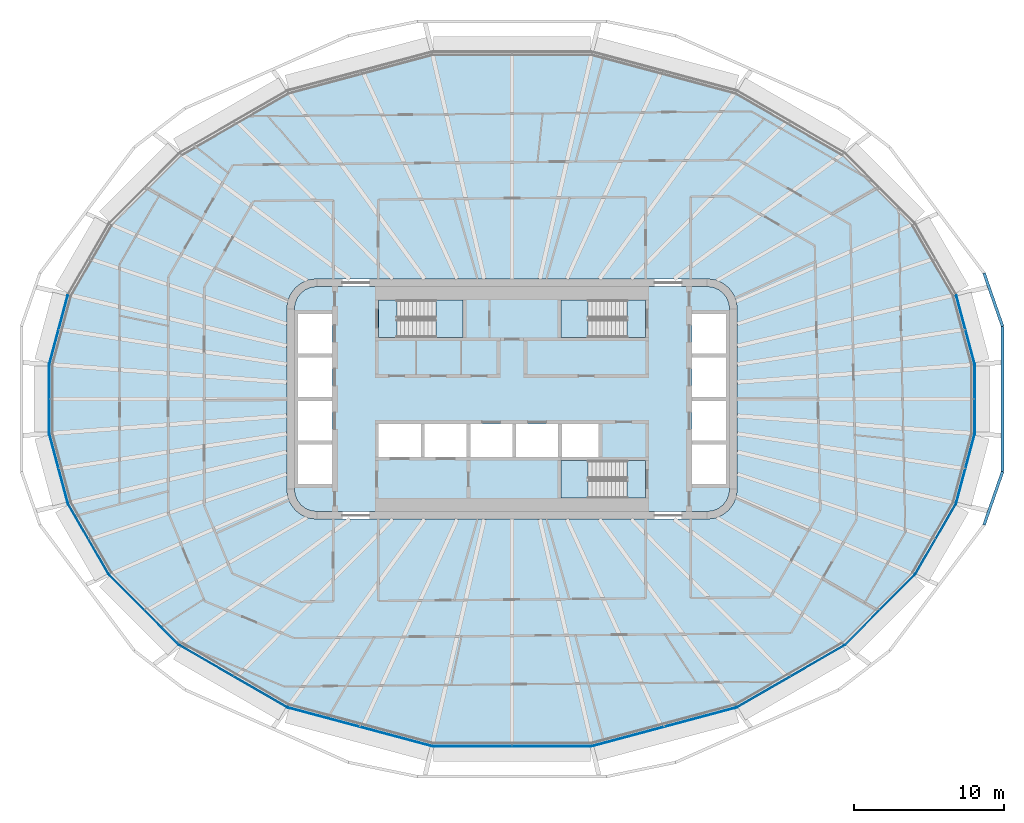
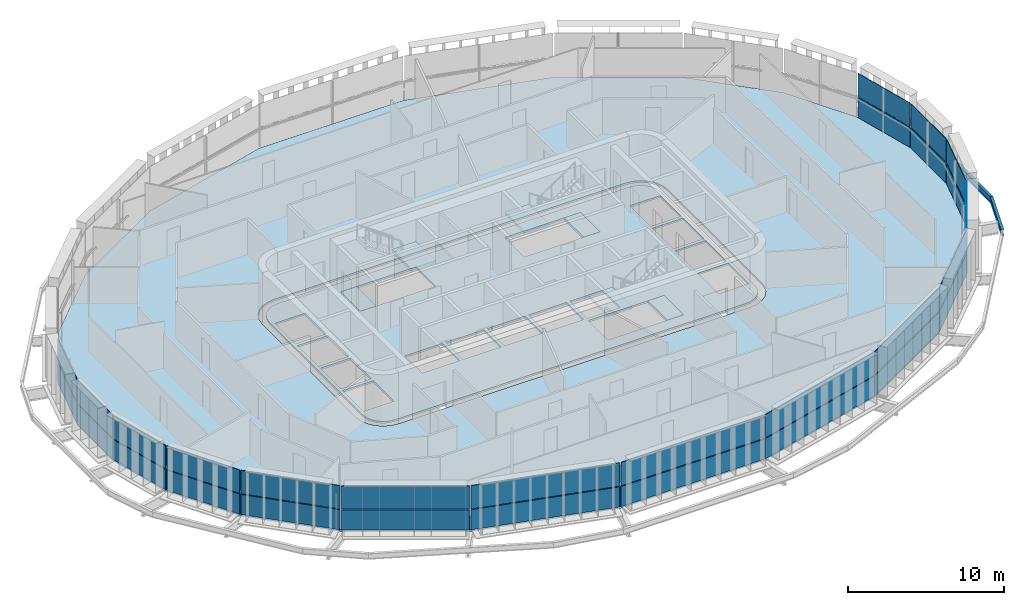
# One storey, part 9 of 21: 30 plates, 8 slabs, 3 beams, 18 elements without a shape of their own.
"""IFC4 building model written with IfcOpenShell, lengths in metres."""

from ifc_helpers import new_model, si_unit, direction, frame, origin, origin_2d, place, context, subcontext, project, spatial, polyline, i_section, outline, extrude, material, layer, layer_set, material_profile, profile_set, type_object, element, aggregate, save


model = new_model("IFC4")

# Units and contexts
model_context = context("Model", 3, precision=1e-05, world=origin(), true_north=direction((0.0, 1.0)))
body_context = subcontext(model_context, "Body", "Model", "MODEL_VIEW")
ifc_project = project(units=[si_unit("LENGTHUNIT", "METRE"), si_unit("AREAUNIT", "SQUARE_METRE"), si_unit("VOLUMEUNIT", "CUBIC_METRE"), si_unit("PLANEANGLEUNIT", "RADIAN"), si_unit("MASSUNIT", "GRAM", prefix="KILO")], contexts=[model_context])

# Site, building, storey
site_placement = place(None, origin())
site = spatial("IfcSite", under=ifc_project, at=site_placement, CompositionType="ELEMENT")
building_placement = place(site_placement, origin())
building = spatial("IfcBuilding", under=site, at=building_placement, Name="Sahrelin Media Tower", CompositionType="ELEMENT")
storey_placement = place(building_placement, frame((0.0, 0.0, 193.60009765625)))
storey = spatial("IfcBuildingStorey", under=building, at=storey_placement, Name="L41", CompositionType="ELEMENT", Elevation=193.60009765625)

# Beams
ifc_material_1 = material(Name="Steel S355", Category="steel")
ifc_material_profile = material_profile(ifc_material_1, i_section(OverallWidth=0.1904296875, OverallDepth=0.45703125, WebThickness=0.009033203125, FlangeThickness=0.014404296875, FilletRadius=0.01025390625, at=origin_2d()), Name="UB 457x191x74")
ifc_profile_set = profile_set([ifc_material_profile], Name="Steel S355")
beam_type = type_object("IfcBeamType", Name="Tie chord TC5", PredefinedType="BEAM", material=ifc_profile_set)
for number, where, z_axis, x_axis, name in (
    (1, (32.669677734375, 4.8369140625, -0.378662109375), (-0.328777768926, 0.944407316077, 0.0), (-0.944407316077, -0.328777768926, 0.0), "Tie chord L41-01"),
    (2, (31.434814453125, -8.384033203125, -0.378662109375), (0.328777768926, 0.944407316077, 0.0), (-0.944407316077, 0.328777768926, 0.0), "Tie chord L41-23"),
):
    element("IfcBeam", number, at=place(storey_placement, frame(where, z_axis=z_axis, x_axis=x_axis)), inside=storey, type_object=beam_type, Name=name, PredefinedType="BEAM", context=body_context, shape_type="SweptSolid", body=[
        extrude(i_section(OverallWidth=0.1904296875, OverallDepth=0.45703125, WebThickness=0.009033203125, FlangeThickness=0.014404296875, FilletRadius=0.01025390625, at=origin_2d()), origin(), (0.0, 0.0, 1.0), 3.755859375),
    ])
beam_placement = place(storey_placement, frame((32.669677734375, -4.8369140625, -0.378662109375), z_axis=(0.0, 1.0, 0.0), x_axis=(-1.0, 0.0, 0.0)))
element("IfcBeam", 3, at=beam_placement, inside=storey, type_object=beam_type, Name="Tie chord L41-24", PredefinedType="BEAM", context=body_context, shape_type="SweptSolid", body=[
    extrude(i_section(OverallWidth=0.1904296875, OverallDepth=0.45703125, WebThickness=0.009033203125, FlangeThickness=0.014404296875, FilletRadius=0.01025390625, at=origin_2d()), origin(), (0.0, 0.0, 1.0), 9.673828125),
])

# Slabs
ifc_material_2 = material(Name="Concrete C40/50", Category="concrete")
ifc_layer_1 = layer(ifc_material_2, 0.14990234375)
ifc_layer_set_1 = layer_set([ifc_layer_1], Name="Composite floor slab 150")
slab_type_1 = type_object("IfcSlabType", Name="Composite floor slab 150", PredefinedType="FLOOR", material=ifc_layer_set_1)
placement_1 = place(storey_placement, frame((0.0, 0.0, -0.150146484375)))
element("IfcSlab", 4, at=placement_1, inside=storey, type_object=slab_type_1, Name="Floor slab L41", PredefinedType="FLOOR", context=body_context, shape_type="SweptSolid", body=[
    extrude(outline(polyline([(30.807373046875, -2.29931640625), (30.807373046875, 2.29931640625), (29.5625, 6.94482421875), (26.82568359375, 11.685302734375), (22.12158203125, 16.38916015625), (14.939208984375, 20.535888671875), (5.3369140625, 23.10888671875), (-5.3369140625, 23.10888671875), (-14.939208984375, 20.535888671875), (-22.12158203125, 16.38916015625), (-26.82568359375, 11.685302734375), (-29.5625, 6.94482421875), (-30.807373046875, 2.29931640625), (-30.807373046875, -2.29931640625), (-29.5625, -6.94482421875), (-26.82568359375, -11.685302734375), (-22.12158203125, -16.38916015625), (-14.939208984375, -20.535888671875), (-5.3369140625, -23.10888671875), (5.3369140625, -23.10888671875), (14.939208984375, -20.535888671875), (22.12158203125, -16.38916015625), (26.82568359375, -11.685302734375), (29.5625, -6.94482421875), (30.807373046875, -2.29931640625)]), holes=[polyline([(14.931884765625, 6.517578125), (15.0, 6.0), (15.0, -6.0), (14.931884765625, -6.517578125), (14.732177734375, -7.0), (14.414306640625, -7.414306640625), (14.0, -7.732177734375), (13.517578125, -7.931884765625), (13.0, -8.0), (-13.0, -8.0), (-13.517578125, -7.931884765625), (-14.0, -7.732177734375), (-14.414306640625, -7.414306640625), (-14.732177734375, -7.0), (-14.931884765625, -6.517578125), (-15.0, -6.0), (-15.0, 6.0), (-14.931884765625, 6.517578125), (-14.732177734375, 7.0), (-14.414306640625, 7.414306640625), (-14.0, 7.732177734375), (-13.517578125, 7.931884765625), (-13.0, 8.0), (13.0, 8.0), (13.517578125, 7.931884765625), (14.0, 7.732177734375), (14.414306640625, 7.414306640625), (14.732177734375, 7.0), (14.931884765625, 6.517578125)])]), origin(), (0.0, 0.0, 1.0), 0.150146484375),
])
ifc_layer_2 = layer(ifc_material_2, 0.14990234375)
ifc_layer_set_2 = layer_set([ifc_layer_2], Name="Core floor slab 150")
slab_type_2 = type_object("IfcSlabType", Name="Core floor slab 150", PredefinedType="FLOOR", material=ifc_layer_set_2)
element("IfcSlab", 5, at=placement_1, inside=storey, type_object=slab_type_2, Name="Core floor", PredefinedType="FLOOR", context=body_context, shape_type="SweptSolid", body=[
    extrude(outline(polyline([(-14.44482421875, 6.38720703125), (-14.5, 5.96728515625), (-14.5, -5.96728515625), (-14.44482421875, -6.38720703125), (-14.29541015625, -6.747802734375), (-14.0576171875, -7.0576171875), (-13.747802734375, -7.29541015625), (-13.38720703125, -7.44482421875), (-12.96728515625, -7.5), (12.96728515625, -7.5), (13.38720703125, -7.44482421875), (13.747802734375, -7.29541015625), (14.0576171875, -7.0576171875), (14.29541015625, -6.747802734375), (14.44482421875, -6.38720703125), (14.5, -5.96728515625), (14.5, 5.96728515625), (14.44482421875, 6.38720703125), (14.29541015625, 6.747802734375), (14.0576171875, 7.0576171875), (13.747802734375, 7.29541015625), (13.38720703125, 7.44482421875), (12.96728515625, 7.5), (-12.96728515625, 7.5), (-13.38720703125, 7.44482421875), (-13.747802734375, 7.29541015625), (-14.0576171875, 7.0576171875), (-14.29541015625, 6.747802734375), (-14.44482421875, 6.38720703125)]), holes=[polyline([(-12.0, 3.02490234375), (-12.0, 5.675048828125), (-14.25, 5.675048828125), (-14.25, 3.02490234375), (-12.0, 3.02490234375)]), polyline([(-14.25, 0.125), (-12.0, 0.125), (-12.0, 2.77490234375), (-14.25, 2.77490234375), (-14.25, 0.125)]), polyline([(-14.25, -0.125), (-14.25, -2.77490234375), (-12.0, -2.77490234375), (-12.0, -0.125), (-14.25, -0.125)]), polyline([(-12.0, -3.02490234375), (-14.25, -3.02490234375), (-14.25, -5.675048828125), (-12.0, -5.675048828125), (-12.0, -3.02490234375)]), polyline([(14.25, 3.02490234375), (14.25, 5.675048828125), (12.0, 5.675048828125), (12.0, 3.02490234375), (14.25, 3.02490234375)]), polyline([(12.0, 0.125), (14.25, 0.125), (14.25, 2.77490234375), (12.0, 2.77490234375), (12.0, 0.125)]), polyline([(12.0, -0.125), (12.0, -2.77490234375), (14.25, -2.77490234375), (14.25, -0.125), (12.0, -0.125)]), polyline([(14.25, -3.02490234375), (12.0, -3.02490234375), (12.0, -5.675048828125), (14.25, -5.675048828125), (14.25, -3.02490234375)]), polyline([(-6.074951171875, -3.85009765625), (-6.074951171875, -1.64990234375), (-8.875, -1.64990234375), (-8.875, -3.85009765625), (-6.074951171875, -3.85009765625)]), polyline([(-5.824951171875, -3.85009765625), (-3.02490234375, -3.85009765625), (-3.02490234375, -1.64990234375), (-5.824951171875, -1.64990234375), (-5.824951171875, -3.85009765625)]), polyline([(-2.77490234375, -1.64990234375), (-2.77490234375, -3.85009765625), (0.02490234375, -3.85009765625), (0.02490234375, -1.64990234375), (-2.77490234375, -1.64990234375)]), polyline([(3.074951171875, -1.64990234375), (0.27490234375, -1.64990234375), (0.27490234375, -3.85009765625), (3.074951171875, -3.85009765625), (3.074951171875, -1.64990234375)]), polyline([(5.77490234375, -3.85009765625), (5.77490234375, -1.64990234375), (3.324951171875, -1.64990234375), (3.324951171875, -3.85009765625), (5.77490234375, -3.85009765625)]), polyline([(-8.875, 6.60009765625), (-8.875, 4.10009765625), (-3.27490234375, 4.10009765625), (-3.27490234375, 6.60009765625), (-8.875, 6.60009765625)]), polyline([(3.27490234375, 4.10009765625), (8.875, 4.10009765625), (8.875, 6.60009765625), (3.27490234375, 6.60009765625), (3.27490234375, 4.10009765625)]), polyline([(3.27490234375, -4.10009765625), (3.27490234375, -6.60009765625), (8.875, -6.60009765625), (8.875, -4.10009765625), (3.27490234375, -4.10009765625)])]), origin(), (0.0, 0.0, 1.0), 0.150146484375),
])

# Curtain wall, plate
ifc_material_3 = material(Name="Champagne anodised aluminium 6063-T6", Category="aluminium")
ifc_layer_3 = layer(ifc_material_3, 0.14990234375)
ifc_layer_set_3 = layer_set([ifc_layer_3], Name="Tower ribbon curtain wall")
curtain_wall_type = type_object("IfcCurtainWallType", Name="Tower ribbon curtain wall", PredefinedType="NOTDEFINED", material=ifc_layer_set_3)
curtain_wall_1_placement = place(storey_placement, frame((30.827392578125, 0.0, 0.0), z_axis=(0.0, 0.0, 1.0), x_axis=(1.0, 0.0, 0.0)))
curtain_wall_1 = element("IfcCurtainWall", 6, at=curtain_wall_1_placement, inside=storey, type_object=curtain_wall_type, Name="L41:CW:L41-00", PredefinedType="NOTDEFINED")
ifc_material_4 = material(Name="Clear low-iron glazing", Category="glass")
ifc_layer_4 = layer(ifc_material_4, 0.0439453125)
ifc_layer_set_4 = layer_set([ifc_layer_4], Name="Glazing panel 44 mm CW1B")
plate_type_1 = type_object("IfcPlateType", Name="Glazing panel 44 mm CW1B", PredefinedType="CURTAIN_PANEL", material=ifc_layer_set_4)
plate_1_placement = place(storey_placement, frame((30.847412109375, -2.251708984375, 1.6298828125), z_axis=(1.0, 0.0, 0.0), x_axis=(0.0, 1.0, 0.0)))
plate_1 = element("IfcPlate", 7, at=plate_1_placement, type_object=plate_type_1, Name="L41:CWP2:L41-00", PredefinedType="CURTAIN_PANEL", context=body_context, shape_type="SweptSolid", body=[
    extrude(outline(polyline([(0.0, 0.0), (4.50341796875, 0.0), (4.50341796875, 1.818603515625), (0.0, 1.818603515625), (0.0, 0.0)])), origin(), (0.0, 0.0, -1.0), 0.0439453125),
])

curtain_wall_2_placement = place(storey_placement, frame((30.2041015625, 4.627197265625, 0.0), z_axis=(0.0, 0.0, 1.0), x_axis=(1.0, 0.0, 0.0)))
curtain_wall_2 = element("IfcCurtainWall", 8, at=curtain_wall_2_placement, inside=storey, type_object=curtain_wall_type, Name="L41:CW:L41-01", PredefinedType="NOTDEFINED")
plate_2_placement = place(storey_placement, frame((30.833740234375, 2.355224609375, 1.6298828125), z_axis=(0.96591707785, 0.258851692515, 0.0), x_axis=(-0.258851692515, 0.96591707785, 0.0)))
plate_2 = element("IfcPlate", 9, at=plate_2_placement, type_object=plate_type_1, Name="L41:CWP2:L41-01", PredefinedType="CURTAIN_PANEL", context=body_context, shape_type="SweptSolid", body=[
    extrude(outline(polyline([(0.0, 0.0), (4.71484375, 0.0), (4.71484375, 1.818603515625), (0.0, 1.818603515625), (0.0, 0.0)])), origin(), (0.0, 0.0, -1.0), 0.0439453125),
])

curtain_wall_3_placement = place(storey_placement, frame((-30.2041015625, 4.627197265625, 0.0), z_axis=(0.0, 0.0, 1.0), x_axis=(1.0, 0.0, 0.0)))
curtain_wall_3 = element("IfcCurtainWall", 10, at=curtain_wall_3_placement, inside=storey, type_object=curtain_wall_type, Name="L41:CW:L41-11", PredefinedType="NOTDEFINED")
plate_3_placement = place(storey_placement, frame((-29.61328125, 6.909423828125, 1.6298828125), z_axis=(-0.96591707785, 0.258851692515, 0.0), x_axis=(-0.258851692515, -0.96591707785, 0.0)))
plate_3 = element("IfcPlate", 11, at=plate_3_placement, type_object=plate_type_1, Name="L41:CWP2:L41-11", PredefinedType="CURTAIN_PANEL", context=body_context, shape_type="SweptSolid", body=[
    extrude(outline(polyline([(0.0, 0.0), (4.71484375, 0.0), (4.71484375, 1.818603515625), (0.0, 1.818603515625), (0.0, 0.0)])), origin(), (0.0, 0.0, -1.0), 0.0439453125),
])

curtain_wall_4_placement = place(storey_placement, frame((-30.827392578125, 0.0, 0.0), z_axis=(0.0, 0.0, 1.0), x_axis=(1.0, 0.0, 0.0)))
curtain_wall_4 = element("IfcCurtainWall", 12, at=curtain_wall_4_placement, inside=storey, type_object=curtain_wall_type, Name="L41:CW:L41-12", PredefinedType="NOTDEFINED")
plate_4_placement = place(storey_placement, frame((-30.847412109375, 2.251708984375, 1.6298828125), z_axis=(-1.0, 0.0, 0.0), x_axis=(0.0, -1.0, 0.0)))
plate_4 = element("IfcPlate", 13, at=plate_4_placement, type_object=plate_type_1, Name="L41:CWP2:L41-12", PredefinedType="CURTAIN_PANEL", context=body_context, shape_type="SweptSolid", body=[
    extrude(outline(polyline([(0.0, 0.0), (4.50341796875, 0.0), (4.50341796875, 1.818603515625), (0.0, 1.818603515625), (0.0, 0.0)])), origin(), (0.0, 0.0, -1.0), 0.0439453125),
])

curtain_wall_5_placement = place(storey_placement, frame((-30.2041015625, -4.627197265625, 0.0), z_axis=(0.0, 0.0, 1.0), x_axis=(1.0, 0.0, 0.0)))
curtain_wall_5 = element("IfcCurtainWall", 14, at=curtain_wall_5_placement, inside=storey, type_object=curtain_wall_type, Name="L41:CW:L41-13", PredefinedType="NOTDEFINED")
plate_5_placement = place(storey_placement, frame((-30.833740234375, -2.355224609375, 1.6298828125), z_axis=(-0.96591707785, -0.258851692515, 0.0), x_axis=(0.258851692515, -0.96591707785, 0.0)))
plate_5 = element("IfcPlate", 15, at=plate_5_placement, type_object=plate_type_1, Name="L41:CWP2:L41-13", PredefinedType="CURTAIN_PANEL", context=body_context, shape_type="SweptSolid", body=[
    extrude(outline(polyline([(0.0, 0.0), (4.71484375, 0.0), (4.71484375, 1.818603515625), (0.0, 1.818603515625), (0.0, 0.0)])), origin(), (0.0, 0.0, -1.0), 0.0439453125),
])

curtain_wall_6_placement = place(storey_placement, frame((-28.211181640625, -9.324951171875, 0.0), z_axis=(0.0, 0.0, 1.0), x_axis=(1.0, 0.0, 0.0)))
curtain_wall_6 = element("IfcCurtainWall", 16, at=curtain_wall_6_placement, inside=storey, type_object=curtain_wall_type, Name="L41:CW:L41-14", PredefinedType="NOTDEFINED")
plate_6_placement = place(storey_placement, frame((-29.573486328125, -7.005859375, 1.6298828125), z_axis=(-0.866014014495, -0.500019726309, 0.0), x_axis=(0.500019726309, -0.866014014495, 0.0)))
plate_6 = element("IfcPlate", 17, at=plate_6_placement, type_object=plate_type_1, Name="L41:CWP2:L41-14", PredefinedType="CURTAIN_PANEL", context=body_context, shape_type="SweptSolid", body=[
    extrude(outline(polyline([(0.0, 0.0), (5.379150390625, 0.0), (5.379150390625, 1.818603515625), (0.0, 1.818603515625), (0.0, 0.0)])), origin(), (0.0, 0.0, -1.0), 0.0439453125),
])

curtain_wall_7_placement = place(storey_placement, frame((-24.48779296875, -14.05126953125, 0.0), z_axis=(0.0, 0.0, 1.0), x_axis=(1.0, 0.0, 0.0)))
curtain_wall_7 = element("IfcCurtainWall", 18, at=curtain_wall_7_placement, inside=storey, type_object=curtain_wall_type, Name="L41:CW:L41-15", PredefinedType="NOTDEFINED")
plate_7_placement = place(storey_placement, frame((-26.8203125, -11.7470703125, 1.6298828125), z_axis=(-0.707106781187, -0.707106781187, 0.0), x_axis=(0.707106781187, -0.707106781187, 0.0)))
plate_7 = element("IfcPlate", 19, at=plate_7_placement, type_object=plate_type_1, Name="L41:CWP2:L41-15", PredefinedType="CURTAIN_PANEL", context=body_context, shape_type="SweptSolid", body=[
    extrude(outline(polyline([(0.0, 0.0), (6.557373046875, 0.0), (6.557373046875, 1.818603515625), (0.0, 1.818603515625), (0.0, 0.0)])), origin(), (0.0, 0.0, -1.0), 0.0439453125),
])

curtain_wall_8_placement = place(storey_placement, frame((-18.54052734375, -18.47998046875, 0.0), z_axis=(0.0, 0.0, 1.0), x_axis=(1.0, 0.0, 0.0)))
curtain_wall_8 = element("IfcCurtainWall", 20, at=curtain_wall_8_placement, inside=storey, type_object=curtain_wall_type, Name="L41:CW:L41-16", PredefinedType="NOTDEFINED")
plate_8_placement = place(storey_placement, frame((-22.1005859375, -16.447509765625, 1.6298828125), z_axis=(-0.499998260706, -0.866026407964, 0.0), x_axis=(0.866026407964, -0.499998260706, 0.0)))
plate_8 = element("IfcPlate", 21, at=plate_8_placement, type_object=plate_type_1, Name="L41:CWP2:L41-16", PredefinedType="CURTAIN_PANEL", context=body_context, shape_type="SweptSolid", body=[
    extrude(outline(polyline([(0.0, 0.0), (8.19873046875, 0.0), (8.19873046875, 1.818603515625), (0.0, 1.818603515625), (0.0, 0.0)])), origin(), (0.0, 0.0, -1.0), 0.0439453125),
])

curtain_wall_9_placement = place(storey_placement, frame((-10.143310546875, -21.841796875, 0.0), z_axis=(0.0, 0.0, 1.0), x_axis=(1.0, 0.0, 0.0)))
curtain_wall_9 = element("IfcCurtainWall", 22, at=curtain_wall_9_placement, inside=storey, type_object=curtain_wall_type, Name="L41:CW:L41-17", PredefinedType="NOTDEFINED")
plate_9_placement = place(storey_placement, frame((-14.90380859375, -20.5869140625, 1.6298828125), z_axis=(-0.258813753336, -0.965927244198, 0.0), x_axis=(0.965927244198, -0.258813753336, 0.0)))
plate_9 = element("IfcPlate", 23, at=plate_9_placement, type_object=plate_type_1, Name="L41:CWP2:L41-17", PredefinedType="CURTAIN_PANEL", context=body_context, shape_type="SweptSolid", body=[
    extrude(outline(polyline([(0.0, 0.0), (9.84619140625, 0.0), (9.84619140625, 1.818603515625), (0.0, 1.818603515625), (0.0, 0.0)])), origin(), (0.0, 0.0, -1.0), 0.0439453125),
])

curtain_wall_10_placement = place(storey_placement, frame((0.0, -23.12890625, 0.0), z_axis=(0.0, 0.0, 1.0), x_axis=(1.0, 0.0, 0.0)))
curtain_wall_10 = element("IfcCurtainWall", 24, at=curtain_wall_10_placement, inside=storey, type_object=curtain_wall_type, Name="L41:CW:L41-18", PredefinedType="NOTDEFINED")
plate_10_placement = place(storey_placement, frame((-5.28955078125, -23.14892578125, 1.6298828125), z_axis=(0.0, -1.0, 0.0), x_axis=(1.0, 0.0, 0.0)))
plate_10 = element("IfcPlate", 25, at=plate_10_placement, type_object=plate_type_1, Name="L41:CWP2:L41-18", PredefinedType="CURTAIN_PANEL", context=body_context, shape_type="SweptSolid", body=[
    extrude(outline(polyline([(0.0, 0.0), (10.5791015625, 0.0), (10.5791015625, 1.818603515625), (0.0, 1.818603515625), (0.0, 0.0)])), origin(), (0.0, 0.0, -1.0), 0.0439453125),
])

curtain_wall_11_placement = place(storey_placement, frame((10.143310546875, -21.841796875, 0.0), z_axis=(0.0, 0.0, 1.0), x_axis=(1.0, 0.0, 0.0)))
curtain_wall_11 = element("IfcCurtainWall", 26, at=curtain_wall_11_placement, inside=storey, type_object=curtain_wall_type, Name="L41:CW:L41-19", PredefinedType="NOTDEFINED")
plate_11_placement = place(storey_placement, frame((5.39306640625, -23.13525390625, 1.6298828125), z_axis=(0.258813753336, -0.965927244198, 0.0), x_axis=(0.965927244198, 0.258813753336, 0.0)))
plate_11 = element("IfcPlate", 27, at=plate_11_placement, type_object=plate_type_1, Name="L41:CWP2:L41-19", PredefinedType="CURTAIN_PANEL", context=body_context, shape_type="SweptSolid", body=[
    extrude(outline(polyline([(0.0, 0.0), (9.84619140625, 0.0), (9.84619140625, 1.818603515625), (0.0, 1.818603515625), (0.0, 0.0)])), origin(), (0.0, 0.0, -1.0), 0.0439453125),
])

curtain_wall_12_placement = place(storey_placement, frame((18.540283203125, -18.479736328125, 0.0), z_axis=(0.0, 0.0, 1.0), x_axis=(1.0, 0.0, 0.0)))
curtain_wall_12 = element("IfcCurtainWall", 28, at=curtain_wall_12_placement, inside=storey, type_object=curtain_wall_type, Name="L41:CW:L41-20", PredefinedType="NOTDEFINED")
plate_12_placement = place(storey_placement, frame((15.000244140625, -20.546875, 1.6298828125), z_axis=(0.499998260706, -0.866026407964, 0.0), x_axis=(0.866026407964, 0.499998260706, 0.0)))
plate_12 = element("IfcPlate", 29, at=plate_12_placement, type_object=plate_type_1, Name="L41:CWP2:L41-20", PredefinedType="CURTAIN_PANEL", context=body_context, shape_type="SweptSolid", body=[
    extrude(outline(polyline([(0.0, 0.0), (8.19873046875, 0.0), (8.19873046875, 1.818603515625), (0.0, 1.818603515625), (0.0, 0.0)])), origin(), (0.0, 0.0, -1.0), 0.0439453125),
])

curtain_wall_13_placement = place(storey_placement, frame((24.48779296875, -14.05126953125, 0.0), z_axis=(0.0, 0.0, 1.0), x_axis=(1.0, 0.0, 0.0)))
curtain_wall_13 = element("IfcCurtainWall", 30, at=curtain_wall_13_placement, inside=storey, type_object=curtain_wall_type, Name="L41:CW:L41-21", PredefinedType="NOTDEFINED")
plate_13_placement = place(storey_placement, frame((22.18359375, -16.3837890625, 1.6298828125), z_axis=(0.707106781187, -0.707106781187, 0.0), x_axis=(0.707106781187, 0.707106781187, 0.0)))
plate_13 = element("IfcPlate", 31, at=plate_13_placement, type_object=plate_type_1, Name="L41:CWP2:L41-21", PredefinedType="CURTAIN_PANEL", context=body_context, shape_type="SweptSolid", body=[
    extrude(outline(polyline([(0.0, 0.0), (6.557373046875, 0.0), (6.557373046875, 1.818603515625), (0.0, 1.818603515625), (0.0, 0.0)])), origin(), (0.0, 0.0, -1.0), 0.0439453125),
])

curtain_wall_14_placement = place(storey_placement, frame((28.211181640625, -9.324951171875, 0.0), z_axis=(0.0, 0.0, 1.0), x_axis=(1.0, 0.0, 0.0)))
curtain_wall_14 = element("IfcCurtainWall", 32, at=curtain_wall_14_placement, inside=storey, type_object=curtain_wall_type, Name="L41:CW:L41-22", PredefinedType="NOTDEFINED")
plate_14_placement = place(storey_placement, frame((26.8837890625, -11.664306640625, 1.6298828125), z_axis=(0.866014014495, -0.500019726309, 0.0), x_axis=(0.500019726309, 0.866014014495, 0.0)))
plate_14 = element("IfcPlate", 33, at=plate_14_placement, type_object=plate_type_1, Name="L41:CWP2:L41-22", PredefinedType="CURTAIN_PANEL", context=body_context, shape_type="SweptSolid", body=[
    extrude(outline(polyline([(0.0, 0.0), (5.379150390625, 0.0), (5.379150390625, 1.818603515625), (0.0, 1.818603515625), (0.0, 0.0)])), origin(), (0.0, 0.0, -1.0), 0.0439453125),
])

curtain_wall_15_placement = place(storey_placement, frame((30.2041015625, -4.627197265625, 0.0), z_axis=(0.0, 0.0, 1.0), x_axis=(1.0, 0.0, 0.0)))
curtain_wall_15 = element("IfcCurtainWall", 34, at=curtain_wall_15_placement, inside=storey, type_object=curtain_wall_type, Name="L41:CW:L41-23", PredefinedType="NOTDEFINED")
plate_15_placement = place(storey_placement, frame((29.61328125, -6.909423828125, 1.6298828125), z_axis=(0.96591707785, -0.258851692515, 0.0), x_axis=(0.258851692515, 0.96591707785, 0.0)))
plate_15 = element("IfcPlate", 35, at=plate_15_placement, type_object=plate_type_1, Name="L41:CWP2:L41-23", PredefinedType="CURTAIN_PANEL", context=body_context, shape_type="SweptSolid", body=[
    extrude(outline(polyline([(0.0, 0.0), (4.71484375, 0.0), (4.71484375, 1.818603515625), (0.0, 1.818603515625), (0.0, 0.0)])), origin(), (0.0, 0.0, -1.0), 0.0439453125),
])

# Plate
ifc_material_5 = material(Name="Insulated spandrel panel")
ifc_layer_5 = layer(ifc_material_5, 0.06005859375)
ifc_layer_set_5 = layer_set([ifc_layer_5], Name="Spandrel panel 60 mm CW1")
plate_type_2 = type_object("IfcPlateType", Name="Spandrel panel 60 mm CW1", PredefinedType="SHEET", material=ifc_layer_set_5)
plate_16_placement = place(storey_placement, frame((30.847412109375, -2.251708984375, 0.0), z_axis=(1.0, 0.0, 0.0), x_axis=(0.0, 1.0, 0.0)))
plate_16 = element("IfcPlate", 36, at=plate_16_placement, type_object=plate_type_2, Name="L41:CWP1:L41-00", PredefinedType="SHEET", context=body_context, shape_type="SweptSolid", body=[
    extrude(outline(polyline([(0.0, 0.0), (4.50341796875, 0.0), (4.50341796875, 1.56982421875), (0.0, 1.56982421875), (0.0, 0.0)])), origin(), (0.0, 0.0, -1.0), 0.06005859375),
])

aggregate(curtain_wall_1, [plate_16, plate_1])

plate_17_placement = place(storey_placement, frame((30.833740234375, 2.355224609375, 0.0), z_axis=(0.96591707785, 0.258851692515, 0.0), x_axis=(-0.258851692515, 0.96591707785, 0.0)))
plate_17 = element("IfcPlate", 37, at=plate_17_placement, type_object=plate_type_2, Name="L41:CWP1:L41-01", PredefinedType="SHEET", context=body_context, shape_type="SweptSolid", body=[
    extrude(outline(polyline([(0.0, 0.0), (4.71484375, 0.0), (4.71484375, 1.56982421875), (0.0, 1.56982421875), (0.0, 0.0)])), origin(), (0.0, 0.0, -1.0), 0.06005859375),
])

aggregate(curtain_wall_2, [plate_17, plate_2])

plate_18_placement = place(storey_placement, frame((-29.61328125, 6.909423828125, 0.0), z_axis=(-0.96591707785, 0.258851692515, 0.0), x_axis=(-0.258851692515, -0.96591707785, 0.0)))
plate_18 = element("IfcPlate", 38, at=plate_18_placement, type_object=plate_type_2, Name="L41:CWP1:L41-11", PredefinedType="SHEET", context=body_context, shape_type="SweptSolid", body=[
    extrude(outline(polyline([(0.0, 0.0), (4.71484375, 0.0), (4.71484375, 1.56982421875), (0.0, 1.56982421875), (0.0, 0.0)])), origin(), (0.0, 0.0, -1.0), 0.06005859375),
])

aggregate(curtain_wall_3, [plate_18, plate_3])

plate_19_placement = place(storey_placement, frame((-30.847412109375, 2.251708984375, 0.0), z_axis=(-1.0, 0.0, 0.0), x_axis=(0.0, -1.0, 0.0)))
plate_19 = element("IfcPlate", 39, at=plate_19_placement, type_object=plate_type_2, Name="L41:CWP1:L41-12", PredefinedType="SHEET", context=body_context, shape_type="SweptSolid", body=[
    extrude(outline(polyline([(0.0, 0.0), (4.50341796875, 0.0), (4.50341796875, 1.56982421875), (0.0, 1.56982421875), (0.0, 0.0)])), origin(), (0.0, 0.0, -1.0), 0.06005859375),
])

aggregate(curtain_wall_4, [plate_19, plate_4])

plate_20_placement = place(storey_placement, frame((-30.833740234375, -2.355224609375, 0.0), z_axis=(-0.96591707785, -0.258851692515, 0.0), x_axis=(0.258851692515, -0.96591707785, 0.0)))
plate_20 = element("IfcPlate", 40, at=plate_20_placement, type_object=plate_type_2, Name="L41:CWP1:L41-13", PredefinedType="SHEET", context=body_context, shape_type="SweptSolid", body=[
    extrude(outline(polyline([(0.0, 0.0), (4.71484375, 0.0), (4.71484375, 1.56982421875), (0.0, 1.56982421875), (0.0, 0.0)])), origin(), (0.0, 0.0, -1.0), 0.06005859375),
])

aggregate(curtain_wall_5, [plate_20, plate_5])

plate_21_placement = place(storey_placement, frame((-29.573486328125, -7.005859375, 0.0), z_axis=(-0.866014014495, -0.500019726309, 0.0), x_axis=(0.500019726309, -0.866014014495, 0.0)))
plate_21 = element("IfcPlate", 41, at=plate_21_placement, type_object=plate_type_2, Name="L41:CWP1:L41-14", PredefinedType="SHEET", context=body_context, shape_type="SweptSolid", body=[
    extrude(outline(polyline([(0.0, 0.0), (5.379150390625, 0.0), (5.379150390625, 1.56982421875), (0.0, 1.56982421875), (0.0, 0.0)])), origin(), (0.0, 0.0, -1.0), 0.06005859375),
])

aggregate(curtain_wall_6, [plate_21, plate_6])

plate_22_placement = place(storey_placement, frame((-26.8203125, -11.7470703125, 0.0), z_axis=(-0.707106781187, -0.707106781187, 0.0), x_axis=(0.707106781187, -0.707106781187, 0.0)))
plate_22 = element("IfcPlate", 42, at=plate_22_placement, type_object=plate_type_2, Name="L41:CWP1:L41-15", PredefinedType="SHEET", context=body_context, shape_type="SweptSolid", body=[
    extrude(outline(polyline([(0.0, 0.0), (6.557373046875, 0.0), (6.557373046875, 1.56982421875), (0.0, 1.56982421875), (0.0, 0.0)])), origin(), (0.0, 0.0, -1.0), 0.06005859375),
])

aggregate(curtain_wall_7, [plate_22, plate_7])

plate_23_placement = place(storey_placement, frame((-22.1005859375, -16.447509765625, 0.0), z_axis=(-0.499998260706, -0.866026407964, 0.0), x_axis=(0.866026407964, -0.499998260706, 0.0)))
plate_23 = element("IfcPlate", 43, at=plate_23_placement, type_object=plate_type_2, Name="L41:CWP1:L41-16", PredefinedType="SHEET", context=body_context, shape_type="SweptSolid", body=[
    extrude(outline(polyline([(0.0, 0.0), (8.19873046875, 0.0), (8.19873046875, 1.56982421875), (0.0, 1.56982421875), (0.0, 0.0)])), origin(), (0.0, 0.0, -1.0), 0.06005859375),
])

aggregate(curtain_wall_8, [plate_23, plate_8])

plate_24_placement = place(storey_placement, frame((-14.90380859375, -20.5869140625, 0.0), z_axis=(-0.258813753336, -0.965927244198, 0.0), x_axis=(0.965927244198, -0.258813753336, 0.0)))
plate_24 = element("IfcPlate", 44, at=plate_24_placement, type_object=plate_type_2, Name="L41:CWP1:L41-17", PredefinedType="SHEET", context=body_context, shape_type="SweptSolid", body=[
    extrude(outline(polyline([(0.0, 0.0), (9.84619140625, 0.0), (9.84619140625, 1.56982421875), (0.0, 1.56982421875), (0.0, 0.0)])), origin(), (0.0, 0.0, -1.0), 0.06005859375),
])

aggregate(curtain_wall_9, [plate_24, plate_9])

plate_25_placement = place(storey_placement, frame((-5.28955078125, -23.14892578125, 0.0), z_axis=(0.0, -1.0, 0.0), x_axis=(1.0, 0.0, 0.0)))
plate_25 = element("IfcPlate", 45, at=plate_25_placement, type_object=plate_type_2, Name="L41:CWP1:L41-18", PredefinedType="SHEET", context=body_context, shape_type="SweptSolid", body=[
    extrude(outline(polyline([(0.0, 0.0), (10.5791015625, 0.0), (10.5791015625, 1.56982421875), (0.0, 1.56982421875), (0.0, 0.0)])), origin(), (0.0, 0.0, -1.0), 0.06005859375),
])

aggregate(curtain_wall_10, [plate_25, plate_10])

plate_26_placement = place(storey_placement, frame((5.39306640625, -23.13525390625, 0.0), z_axis=(0.258813753336, -0.965927244198, 0.0), x_axis=(0.965927244198, 0.258813753336, 0.0)))
plate_26 = element("IfcPlate", 46, at=plate_26_placement, type_object=plate_type_2, Name="L41:CWP1:L41-19", PredefinedType="SHEET", context=body_context, shape_type="SweptSolid", body=[
    extrude(outline(polyline([(0.0, 0.0), (9.84619140625, 0.0), (9.84619140625, 1.56982421875), (0.0, 1.56982421875), (0.0, 0.0)])), origin(), (0.0, 0.0, -1.0), 0.06005859375),
])

aggregate(curtain_wall_11, [plate_26, plate_11])

plate_27_placement = place(storey_placement, frame((15.000244140625, -20.546875, 0.0), z_axis=(0.499998260706, -0.866026407964, 0.0), x_axis=(0.866026407964, 0.499998260706, 0.0)))
plate_27 = element("IfcPlate", 47, at=plate_27_placement, type_object=plate_type_2, Name="L41:CWP1:L41-20", PredefinedType="SHEET", context=body_context, shape_type="SweptSolid", body=[
    extrude(outline(polyline([(0.0, 0.0), (8.19873046875, 0.0), (8.19873046875, 1.56982421875), (0.0, 1.56982421875), (0.0, 0.0)])), origin(), (0.0, 0.0, -1.0), 0.06005859375),
])

aggregate(curtain_wall_12, [plate_27, plate_12])

plate_28_placement = place(storey_placement, frame((22.18359375, -16.3837890625, 0.0), z_axis=(0.707106781187, -0.707106781187, 0.0), x_axis=(0.707106781187, 0.707106781187, 0.0)))
plate_28 = element("IfcPlate", 48, at=plate_28_placement, type_object=plate_type_2, Name="L41:CWP1:L41-21", PredefinedType="SHEET", context=body_context, shape_type="SweptSolid", body=[
    extrude(outline(polyline([(0.0, 0.0), (6.557373046875, 0.0), (6.557373046875, 1.56982421875), (0.0, 1.56982421875), (0.0, 0.0)])), origin(), (0.0, 0.0, -1.0), 0.06005859375),
])

aggregate(curtain_wall_13, [plate_28, plate_13])

plate_29_placement = place(storey_placement, frame((26.8837890625, -11.664306640625, 0.0), z_axis=(0.866014014495, -0.500019726309, 0.0), x_axis=(0.500019726309, 0.866014014495, 0.0)))
plate_29 = element("IfcPlate", 49, at=plate_29_placement, type_object=plate_type_2, Name="L41:CWP1:L41-22", PredefinedType="SHEET", context=body_context, shape_type="SweptSolid", body=[
    extrude(outline(polyline([(0.0, 0.0), (5.379150390625, 0.0), (5.379150390625, 1.56982421875), (0.0, 1.56982421875), (0.0, 0.0)])), origin(), (0.0, 0.0, -1.0), 0.06005859375),
])

aggregate(curtain_wall_14, [plate_29, plate_14])

plate_30_placement = place(storey_placement, frame((29.61328125, -6.909423828125, 0.0), z_axis=(0.96591707785, -0.258851692515, 0.0), x_axis=(0.258851692515, 0.96591707785, 0.0)))
plate_30 = element("IfcPlate", 50, at=plate_30_placement, type_object=plate_type_2, Name="L41:CWP1:L41-23", PredefinedType="SHEET", context=body_context, shape_type="SweptSolid", body=[
    extrude(outline(polyline([(0.0, 0.0), (4.71484375, 0.0), (4.71484375, 1.56982421875), (0.0, 1.56982421875), (0.0, 0.0)])), origin(), (0.0, 0.0, -1.0), 0.06005859375),
])

aggregate(curtain_wall_15, [plate_30, plate_15])

# Stair, slabs
stair_type = type_object("IfcStairType", Name="Exit stair 1200", PredefinedType="HALF_TURN_STAIR", material=ifc_material_2)
placement_2 = place(storey_placement, origin())
stair_1 = element("IfcStair", 51, at=placement_2, inside=storey, type_object=stair_type, Name="L41 Exit stair ST1", PredefinedType="HALF_TURN_STAIR")
ifc_layer_6 = layer(ifc_material_2, 0.199951171875)
ifc_layer_set_6 = layer_set([ifc_layer_6], Name="Stair landing 200")
slab_type_3 = type_object("IfcSlabType", Name="Stair landing 200", PredefinedType="LANDING", material=ifc_layer_set_6)
placement_3 = place(storey_placement, frame((0.0, 0.0, 1.7998046875)))
slab_3 = element("IfcSlab", 52, at=placement_3, type_object=slab_type_3, Name="ST1 landing 1", PredefinedType="LANDING", context=body_context, shape_type="SweptSolid", body=[
    extrude(outline(polyline([(-5.074951171875, 4.10009765625), (-3.27490234375, 4.10009765625), (-3.27490234375, 6.60009765625), (-5.074951171875, 6.60009765625), (-5.074951171875, 4.10009765625)])), origin(), (0.0, 0.0, 1.0), 0.2001953125),
])
placement_4 = place(storey_placement, frame((0.0, 0.0, -0.2001953125)))
slab_4 = element("IfcSlab", 53, at=placement_4, type_object=slab_type_3, Name="ST1 landing 2", PredefinedType="LANDING", context=body_context, shape_type="SweptSolid", body=[
    extrude(outline(polyline([(-8.875, 4.10009765625), (-7.675048828125, 4.10009765625), (-7.675048828125, 6.60009765625), (-8.875, 6.60009765625), (-8.875, 4.10009765625)])), origin(), (0.0, 0.0, 1.0), 0.2001953125),
])
aggregate(stair_1, [slab_3, slab_4])

stair_2 = element("IfcStair", 54, at=placement_2, inside=storey, type_object=stair_type, Name="L41 Exit stair ST3", PredefinedType="HALF_TURN_STAIR")
slab_5 = element("IfcSlab", 55, at=placement_3, type_object=slab_type_3, Name="ST3 landing 1", PredefinedType="LANDING", context=body_context, shape_type="SweptSolid", body=[
    extrude(outline(polyline([(5.074951171875, 6.60009765625), (3.27490234375, 6.60009765625), (3.27490234375, 4.10009765625), (5.074951171875, 4.10009765625), (5.074951171875, 6.60009765625)])), origin(), (0.0, 0.0, 1.0), 0.2001953125),
])
slab_6 = element("IfcSlab", 56, at=placement_4, type_object=slab_type_3, Name="ST3 landing 2", PredefinedType="LANDING", context=body_context, shape_type="SweptSolid", body=[
    extrude(outline(polyline([(8.875, 6.60009765625), (7.675048828125, 6.60009765625), (7.675048828125, 4.10009765625), (8.875, 4.10009765625), (8.875, 6.60009765625)])), origin(), (0.0, 0.0, 1.0), 0.2001953125),
])
aggregate(stair_2, [slab_5, slab_6])

stair_3 = element("IfcStair", 57, at=placement_2, inside=storey, type_object=stair_type, Name="L41 Exit stair ST2", PredefinedType="HALF_TURN_STAIR")
slab_7 = element("IfcSlab", 58, at=placement_3, type_object=slab_type_3, Name="ST2 landing 1", PredefinedType="LANDING", context=body_context, shape_type="SweptSolid", body=[
    extrude(outline(polyline([(5.074951171875, -4.10009765625), (3.27490234375, -4.10009765625), (3.27490234375, -6.60009765625), (5.074951171875, -6.60009765625), (5.074951171875, -4.10009765625)])), origin(), (0.0, 0.0, 1.0), 0.2001953125),
])
slab_8 = element("IfcSlab", 59, at=placement_4, type_object=slab_type_3, Name="ST2 landing 2", PredefinedType="LANDING", context=body_context, shape_type="SweptSolid", body=[
    extrude(outline(polyline([(8.875, -4.10009765625), (7.675048828125, -4.10009765625), (7.675048828125, -6.60009765625), (8.875, -6.60009765625), (8.875, -4.10009765625)])), origin(), (0.0, 0.0, 1.0), 0.2001953125),
])
aggregate(stair_3, [slab_7, slab_8])

save(model, "model.ifc")
